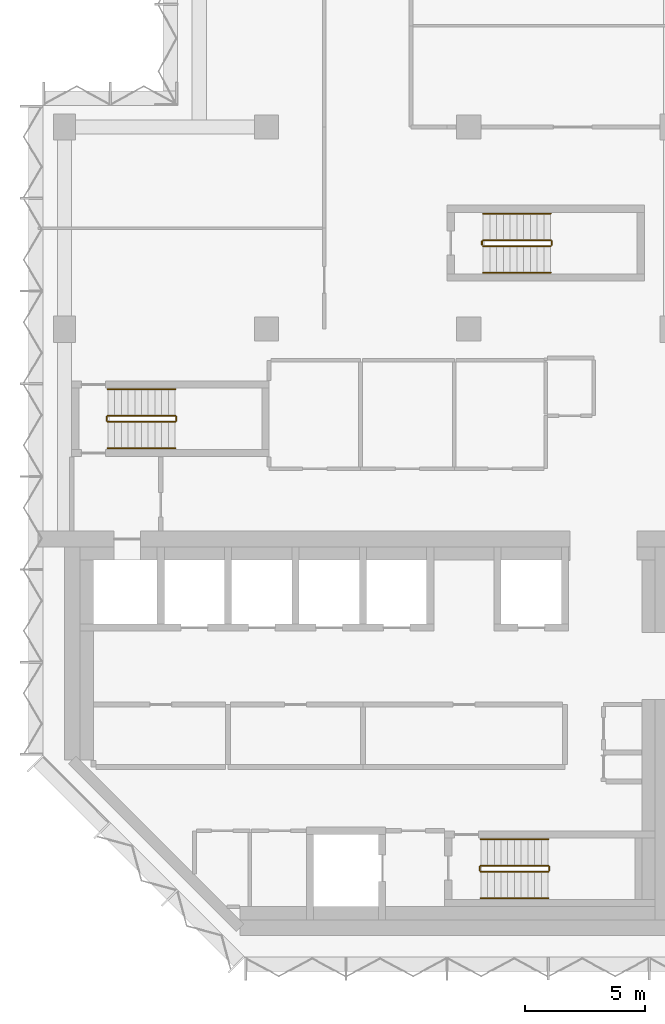
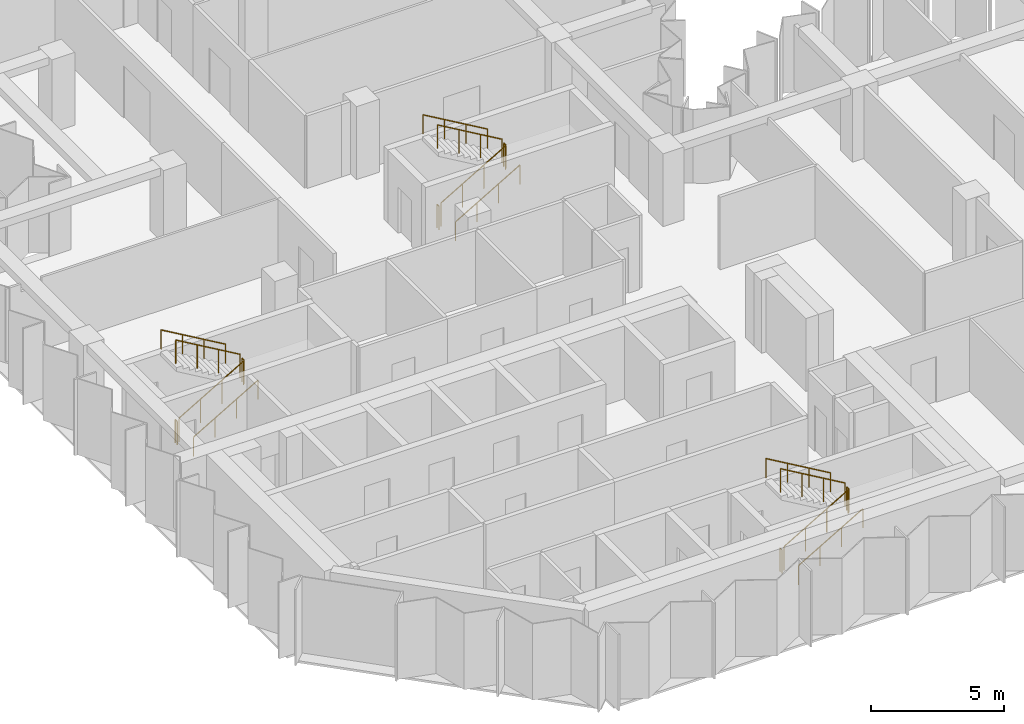
# One storey, part 9 of 10: 18 railings.
"""IFC4 building model written with IfcOpenShell, lengths in metres."""

import ifcopenshell
import ifcopenshell.guid

model = None  # the IFC model being written
_history = None  # IfcOwnerHistory: only IFC2X3 demands one
_inside = {}  # id of a spatial element -> (the spatial element, [elements in it])
_under = {}  # id of a project, library or spatial element -> (it, [spatial elements below it])
_declared = {}  # id of a project -> (the project, [libraries it declares])
_typed = {}  # id of a type object -> (the type object, [elements of that type])
_made_of = {}  # id of a material, layer set ... -> (it, [elements and type objects made of it])


def new_model(schema):
    """Start an empty IFC model of exactly this schema.

    Asked for "IFC4X3", IfcOpenShell would pick the latest addendum, in which some entities
    have other attributes; the version numbers below select the first issue.
    IFC2X3 requires an IfcOwnerHistory on every rooted entity: one is made here for all.
    """
    global model, _history
    if schema == "IFC4X3":
        model = ifcopenshell.file(schema_version=(4, 3, 0, 0))
    else:
        model = ifcopenshell.file(schema=schema)
    _inside.clear()
    _under.clear()
    _declared.clear()
    _typed.clear()
    _made_of.clear()
    _history = None
    if model.schema == "IFC2X3":
        org = make("IfcOrganization", Name="unknown")
        user = make(
            "IfcPersonAndOrganization",
            ThePerson=make("IfcPerson", FamilyName="unknown"),
            TheOrganization=org,
        )
        app = make(
            "IfcApplication",
            ApplicationDeveloper=org,
            Version="unknown",
            ApplicationFullName="unknown",
            ApplicationIdentifier="unknown",
        )
        _history = make(
            "IfcOwnerHistory",
            OwningUser=user,
            OwningApplication=app,
            ChangeAction="ADDED",
            CreationDate=0,
        )
    return model


def make(cls, **values):
    """One entity of the class cls with the attributes given. An attribute that is None is left unset."""
    return model.create_entity(
        cls, **{name: value for name, value in values.items() if value is not None}
    )


def rooted(cls, **values):
    """An entity with a GlobalId (a new one), such as an element, a storey or a relation."""
    return make(cls, GlobalId=ifcopenshell.guid.new(), OwnerHistory=_history, **values)


def si_unit(unit_type, name, prefix=None):
    """IfcSIUnit, for example si_unit("LENGTHUNIT", "METRE", prefix="MILLI")."""
    return make("IfcSIUnit", UnitType=unit_type, Prefix=prefix, Name=name)


def assignment(units):
    """IfcUnitAssignment: the units of a project."""
    return None if units is None else make("IfcUnitAssignment", Units=units)


def point(xyz):
    """IfcCartesianPoint."""
    return None if xyz is None else make("IfcCartesianPoint", Coordinates=xyz)


def direction(xyz):
    """IfcDirection."""
    return None if xyz is None else make("IfcDirection", DirectionRatios=xyz)


def frame(location, z_axis=None, x_axis=None):
    """IfcAxis2Placement3D, a coordinate frame: its origin and axes. An axis left out is left unset."""
    return make(
        "IfcAxis2Placement3D",
        Location=point(location),
        Axis=direction(z_axis),
        RefDirection=direction(x_axis),
    )


def frame_2d(location, x_axis=None):
    """IfcAxis2Placement2D, a coordinate frame in the plane: its origin and x axis."""
    return make(
        "IfcAxis2Placement2D", Location=point(location), RefDirection=direction(x_axis)
    )


def origin():
    """The frame at (0, 0, 0) with its axes left unset."""
    return frame((0.0, 0.0, 0.0))


def origin_2d():
    """The frame at (0, 0) in the plane with its x axis left unset."""
    return frame_2d((0.0, 0.0))


def place(relative_to, where):
    """IfcLocalPlacement: puts the frame where relative to a parent placement (None: the world)."""
    return make(
        "IfcLocalPlacement", PlacementRelTo=relative_to, RelativePlacement=where
    )


def context(
    kind, dimensions, precision=None, world=None, true_north=None, identifier=None
):
    """IfcGeometricRepresentationContext, for example the 3D "Model" context."""
    return make(
        "IfcGeometricRepresentationContext",
        ContextIdentifier=identifier,
        ContextType=kind,
        CoordinateSpaceDimension=dimensions,
        Precision=precision,
        WorldCoordinateSystem=world,
        TrueNorth=true_north,
    )


def subcontext(parent, identifier, kind, view, scale=None):
    """IfcGeometricRepresentationSubContext, for example "Body" below "Model"."""
    return make(
        "IfcGeometricRepresentationSubContext",
        ContextIdentifier=identifier,
        ContextType=kind,
        ParentContext=parent,
        TargetScale=scale,
        TargetView=view,
    )


def project(units=None, contexts=None):
    """IfcProject with its units and contexts."""
    return rooted(
        "IfcProject",
        Name="project",
        RepresentationContexts=contexts,
        UnitsInContext=assignment(units),
    )


def spatial(cls, under=None, at=None, **own):
    """A site, building, storey or space (cls), placed at a placement, below another one or the project."""
    s = rooted(cls, ObjectPlacement=at, **own)
    if under is not None:
        _under.setdefault(under.id(), (under, []))[1].append(s)
    return s


def profile(cls, at=None, kind="AREA", **sizes):
    """A parametric profile (cls). Its sizes go by their IFC names, for example OverallWidth=200.0."""
    return make(cls, ProfileType=kind, Position=at, **sizes)


def circle(**sizes):
    """IfcCircleProfileDef."""
    return profile("IfcCircleProfileDef", **sizes)


def extrude(swept, where, along, depth):
    """IfcExtrudedAreaSolid: the profile swept, set in the frame where, extruded along a direction by depth."""
    return make(
        "IfcExtrudedAreaSolid",
        SweptArea=swept,
        Position=where,
        ExtrudedDirection=direction(along),
        Depth=depth,
    )


def shape(context_of_items, identifier, shape_type, items):
    """IfcShapeRepresentation: the items that make up one representation, for example the "Body"."""
    return make(
        "IfcShapeRepresentation",
        ContextOfItems=context_of_items,
        RepresentationIdentifier=identifier,
        RepresentationType=shape_type,
        Items=items,
    )


def material(Name=None, Category=None):
    """IfcMaterial."""
    return make("IfcMaterial", Name=Name, Category=Category)


def made_of(thing, what):
    """Note that an element or type object is made of a material, layer set ...; save() writes the relation."""
    if what is not None:
        _made_of.setdefault(what.id(), (what, []))[1].append(thing)
    return thing


def type_object(cls, material=None, **own):
    """A type object (cls), such as IfcWallType, which elements share."""
    return made_of(rooted(cls, **own), material)


def element(
    cls,
    number,
    at=None,
    inside=None,
    cuts=None,
    type_object=None,
    material=None,
    context=None,
    identifier="Body",
    shape_type=None,
    held_by="IfcProductDefinitionShape",
    body=None,
    shapes=None,
    **own,
):
    """One element of the class cls, such as IfcWall. Its Tag is "e" and its number.

    at: its placement. inside: the storey or other place that contains it. cuts: it is an
    opening in that element (IfcRelVoidsElement). A single representation is given by context,
    identifier, shape_type and body (its items); several are given by shapes. held_by: the class
    of the entity that holds the representations. save() writes the other relations.
    """
    e = rooted(cls, Tag="e%d" % number, ObjectPlacement=at, **own)
    if body is not None:
        shapes = [shape(context, identifier, shape_type, body)]
    if shapes is not None:
        e.Representation = make(held_by, Representations=shapes)
    if inside is not None:
        _inside.setdefault(inside.id(), (inside, []))[1].append(e)
    if cuts is not None:
        rooted(
            "IfcRelVoidsElement", RelatingBuildingElement=cuts, RelatedOpeningElement=e
        )
    if type_object is not None:
        _typed.setdefault(type_object.id(), (type_object, []))[1].append(e)
    return made_of(e, material)


def aggregate(whole, parts):
    """IfcRelAggregates: a whole, such as a stair, and the parts it consists of."""
    return rooted("IfcRelAggregates", RelatingObject=whole, RelatedObjects=parts)


def save(model, path):
    """Write the relations noted so far, then the file.

    IfcRelAggregates (storeys below a building ...), IfcRelContainedInSpatialStructure (elements
    in a storey), IfcRelDefinesByType, IfcRelAssociatesMaterial and IfcRelDeclares: one each for
    every whole, place, type object, material and project.
    """
    for whole, parts in _under.values():
        aggregate(whole, parts)
    for where, things in _inside.values():
        rooted(
            "IfcRelContainedInSpatialStructure",
            RelatedElements=things,
            RelatingStructure=where,
        )
    for kind, things in _typed.values():
        rooted("IfcRelDefinesByType", RelatedObjects=things, RelatingType=kind)
    for what, things in _made_of.values():
        rooted("IfcRelAssociatesMaterial", RelatedObjects=things, RelatingMaterial=what)
    for by, libraries in _declared.values():
        rooted("IfcRelDeclares", RelatingContext=by, RelatedDefinitions=libraries)
    model.write(path)


model = new_model("IFC4")

# Units and contexts
model_context = context("Model", 3, precision=1e-05, world=origin(), true_north=direction((0.0, 1.0)))
body_context = subcontext(model_context, "Body", "Model", "MODEL_VIEW")
ifc_project = project(units=[si_unit("LENGTHUNIT", "METRE"), si_unit("AREAUNIT", "SQUARE_METRE"), si_unit("VOLUMEUNIT", "CUBIC_METRE"), si_unit("PLANEANGLEUNIT", "RADIAN"), si_unit("MASSUNIT", "GRAM", prefix="KILO")], contexts=[model_context])

# Site, building, storey
site_placement = place(None, origin())
site = spatial("IfcSite", under=ifc_project, at=site_placement, CompositionType="ELEMENT")
building_placement = place(site_placement, origin())
building = spatial("IfcBuilding", under=site, at=building_placement, Name="Brevane Broadcast Tower", CompositionType="ELEMENT")
storey_placement = place(building_placement, frame((0.0, 0.0, 195.60009765625)))
storey = spatial("IfcBuildingStorey", under=building, at=storey_placement, Name="L49", CompositionType="ELEMENT", Elevation=195.60009765625)

# Railings
ifc_material = material(Name="Steel S355", Category="steel")
railing_type_1 = type_object("IfcRailingType", Name="Exit stair guard", PredefinedType="GUARDRAIL", material=ifc_material)
railing_1_placement = place(storey_placement, frame((1.800048828125, 21.35009765625, 0.16357421875)))
element("IfcRailing", 1, at=railing_1_placement, inside=storey, type_object=railing_type_1, Name="L49 ST-1 stair guard 1", PredefinedType="GUARDRAIL", context=body_context, shape_type="SweptSolid", body=[
    extrude(circle(Radius=0.02392578125, at=origin_2d()), frame((0.0, 0.0, 1.076171875), z_axis=(0.863393664356, 0.0, 0.504530851732), x_axis=(0.0, 1.0, 0.0)), (0.0, 0.0, 1.0), 3.2431640625),
    extrude(circle(Radius=0.02099609375, at=origin_2d()), origin(), (0.0, 0.0, 1.0), 1.052001953125),
    extrude(circle(Radius=0.02099609375, at=origin_2d()), frame((0.933349609375, 0.0, 0.54541015625)), (0.0, 0.0, 1.0), 1.052001953125),
    extrude(circle(Radius=0.02099609375, at=origin_2d()), frame((1.86669921875, 0.0, 1.0908203125)), (0.0, 0.0, 1.0), 1.052001953125),
    extrude(circle(Radius=0.02099609375, at=origin_2d()), frame((2.800048828125, 0.0, 1.63623046875)), (0.0, 0.0, 1.0), 1.052001953125),
])
railing_2_placement = place(storey_placement, frame((4.64990234375, 21.39990234375, 1.7998046875)))
element("IfcRailing", 2, at=railing_2_placement, inside=storey, type_object=railing_type_1, Name="L49 ST-1 stair guard 2", PredefinedType="GUARDRAIL", context=body_context, shape_type="SweptSolid", body=[
    extrude(circle(Radius=0.02392578125, at=origin_2d()), frame((0.0, 0.0, 1.076171875), z_axis=(0.0, 1.0, 0.0), x_axis=(-1.0, 0.0, 0.0)), (0.0, 0.0, 1.0), 0.150146484375),
    extrude(circle(Radius=0.02099609375, at=origin_2d()), origin(), (0.0, 0.0, 1.0), 1.052001953125),
    extrude(circle(Radius=0.02099609375, at=origin_2d()), frame((0.0, 0.150146484375, 0.0)), (0.0, 0.0, 1.0), 1.052001953125),
])
railing_3_placement = place(storey_placement, frame((4.60009765625, 21.60009765625, 1.963623046875)))
element("IfcRailing", 3, at=railing_3_placement, inside=storey, type_object=railing_type_1, Name="L49 ST-1 stair guard 3", PredefinedType="GUARDRAIL", context=body_context, shape_type="SweptSolid", body=[
    extrude(circle(Radius=0.02392578125, at=origin_2d()), frame((0.0, 0.0, 1.076171875), z_axis=(-0.863393664356, 0.0, 0.504530851732), x_axis=(0.0, -1.0, 0.0)), (0.0, 0.0, 1.0), 3.2431640625),
    extrude(circle(Radius=0.02099609375, at=origin_2d()), origin(), (0.0, 0.0, 1.0), 1.052001953125),
    extrude(circle(Radius=0.02099609375, at=origin_2d()), frame((-0.933349609375, 0.0, 0.54541015625)), (0.0, 0.0, 1.0), 1.052001953125),
    extrude(circle(Radius=0.02099609375, at=origin_2d()), frame((-1.86669921875, 0.0, 1.0908203125)), (0.0, 0.0, 1.0), 1.052001953125),
    extrude(circle(Radius=0.02099609375, at=origin_2d()), frame((-2.800048828125, 0.0, 1.63623046875)), (0.0, 0.0, 1.0), 1.052001953125),
])
railing_4_placement = place(storey_placement, frame((1.75, 21.39990234375, 0.0)))
element("IfcRailing", 4, at=railing_4_placement, inside=storey, type_object=railing_type_1, Name="L49 ST-1 stair guard 4", PredefinedType="GUARDRAIL", context=body_context, shape_type="SweptSolid", body=[
    extrude(circle(Radius=0.02392578125, at=origin_2d()), frame((0.0, 0.0, 1.076171875), z_axis=(0.0, 1.0, 0.0), x_axis=(-1.0, 0.0, 0.0)), (0.0, 0.0, 1.0), 0.150146484375),
    extrude(circle(Radius=0.02099609375, at=origin_2d()), origin(), (0.0, 0.0, 1.0), 1.052001953125),
    extrude(circle(Radius=0.02099609375, at=origin_2d()), frame((0.0, 0.150146484375, 0.0)), (0.0, 0.0, 1.0), 1.052001953125),
])
railing_5_placement = place(storey_placement, frame((17.300048828125, 2.64990234375, 0.16357421875)))
element("IfcRailing", 5, at=railing_5_placement, inside=storey, type_object=railing_type_1, Name="L49 ST-2 stair guard 1", PredefinedType="GUARDRAIL", context=body_context, shape_type="SweptSolid", body=[
    extrude(circle(Radius=0.02392578125, at=origin_2d()), frame((0.0, 0.0, 1.076171875), z_axis=(0.863393664356, 0.0, 0.504530851732), x_axis=(0.0, 1.0, 0.0)), (0.0, 0.0, 1.0), 3.2431640625),
    extrude(circle(Radius=0.02099609375, at=origin_2d()), origin(), (0.0, 0.0, 1.0), 1.052001953125),
    extrude(circle(Radius=0.02099609375, at=origin_2d()), frame((0.933349609375, 0.0, 0.54541015625)), (0.0, 0.0, 1.0), 1.052001953125),
    extrude(circle(Radius=0.02099609375, at=origin_2d()), frame((1.86669921875, 0.0, 1.0908203125)), (0.0, 0.0, 1.0), 1.052001953125),
    extrude(circle(Radius=0.02099609375, at=origin_2d()), frame((2.800048828125, 0.0, 1.63623046875)), (0.0, 0.0, 1.0), 1.052001953125),
])
railing_6_placement = place(storey_placement, frame((20.14990234375, 2.699951171875, 1.7998046875)))
element("IfcRailing", 6, at=railing_6_placement, inside=storey, type_object=railing_type_1, Name="L49 ST-2 stair guard 2", PredefinedType="GUARDRAIL", context=body_context, shape_type="SweptSolid", body=[
    extrude(circle(Radius=0.02392578125, at=origin_2d()), frame((0.0, 0.0, 1.076171875), z_axis=(0.0, 1.0, 0.0), x_axis=(-1.0, 0.0, 0.0)), (0.0, 0.0, 1.0), 0.150146484375),
    extrude(circle(Radius=0.02099609375, at=origin_2d()), origin(), (0.0, 0.0, 1.0), 1.052001953125),
    extrude(circle(Radius=0.02099609375, at=origin_2d()), frame((0.0, 0.150146484375, 0.0)), (0.0, 0.0, 1.0), 1.052001953125),
])
railing_7_placement = place(storey_placement, frame((20.10009765625, 2.89990234375, 1.963623046875)))
element("IfcRailing", 7, at=railing_7_placement, inside=storey, type_object=railing_type_1, Name="L49 ST-2 stair guard 3", PredefinedType="GUARDRAIL", context=body_context, shape_type="SweptSolid", body=[
    extrude(circle(Radius=0.02392578125, at=origin_2d()), frame((0.0, 0.0, 1.076171875), z_axis=(-0.863393664356, 0.0, 0.504530851732), x_axis=(0.0, -1.0, 0.0)), (0.0, 0.0, 1.0), 3.2431640625),
    extrude(circle(Radius=0.02099609375, at=origin_2d()), origin(), (0.0, 0.0, 1.0), 1.052001953125),
    extrude(circle(Radius=0.02099609375, at=origin_2d()), frame((-0.933349609375, 0.0, 0.54541015625)), (0.0, 0.0, 1.0), 1.052001953125),
    extrude(circle(Radius=0.02099609375, at=origin_2d()), frame((-1.86669921875, 0.0, 1.0908203125)), (0.0, 0.0, 1.0), 1.052001953125),
    extrude(circle(Radius=0.02099609375, at=origin_2d()), frame((-2.800048828125, 0.0, 1.63623046875)), (0.0, 0.0, 1.0), 1.052001953125),
])
railing_8_placement = place(storey_placement, frame((17.25, 2.699951171875, 0.0)))
element("IfcRailing", 8, at=railing_8_placement, inside=storey, type_object=railing_type_1, Name="L49 ST-2 stair guard 4", PredefinedType="GUARDRAIL", context=body_context, shape_type="SweptSolid", body=[
    extrude(circle(Radius=0.02392578125, at=origin_2d()), frame((0.0, 0.0, 1.076171875), z_axis=(0.0, 1.0, 0.0), x_axis=(-1.0, 0.0, 0.0)), (0.0, 0.0, 1.0), 0.150146484375),
    extrude(circle(Radius=0.02099609375, at=origin_2d()), origin(), (0.0, 0.0, 1.0), 1.052001953125),
    extrude(circle(Radius=0.02099609375, at=origin_2d()), frame((0.0, 0.150146484375, 0.0)), (0.0, 0.0, 1.0), 1.052001953125),
])
railing_9_placement = place(storey_placement, frame((17.39990234375, 28.64990234375, 0.16357421875)))
element("IfcRailing", 9, at=railing_9_placement, inside=storey, type_object=railing_type_1, Name="L49 ST-3 stair guard 1", PredefinedType="GUARDRAIL", context=body_context, shape_type="SweptSolid", body=[
    extrude(circle(Radius=0.02392578125, at=origin_2d()), frame((0.0, 0.0, 1.076171875), z_axis=(0.863393664356, 0.0, 0.504530851732), x_axis=(0.0, 1.0, 0.0)), (0.0, 0.0, 1.0), 3.2431640625),
    extrude(circle(Radius=0.02099609375, at=origin_2d()), origin(), (0.0, 0.0, 1.0), 1.052001953125),
    extrude(circle(Radius=0.02099609375, at=origin_2d()), frame((0.933349609375, 0.0, 0.54541015625)), (0.0, 0.0, 1.0), 1.052001953125),
    extrude(circle(Radius=0.02099609375, at=origin_2d()), frame((1.86669921875, 0.0, 1.0908203125)), (0.0, 0.0, 1.0), 1.052001953125),
    extrude(circle(Radius=0.02099609375, at=origin_2d()), frame((2.800048828125, 0.0, 1.63623046875)), (0.0, 0.0, 1.0), 1.052001953125),
])
railing_10_placement = place(storey_placement, frame((20.25, 28.699951171875, 1.7998046875)))
element("IfcRailing", 10, at=railing_10_placement, inside=storey, type_object=railing_type_1, Name="L49 ST-3 stair guard 2", PredefinedType="GUARDRAIL", context=body_context, shape_type="SweptSolid", body=[
    extrude(circle(Radius=0.02392578125, at=origin_2d()), frame((0.0, 0.0, 1.076171875), z_axis=(0.0, 1.0, 0.0), x_axis=(-1.0, 0.0, 0.0)), (0.0, 0.0, 1.0), 0.150146484375),
    extrude(circle(Radius=0.02099609375, at=origin_2d()), origin(), (0.0, 0.0, 1.0), 1.052001953125),
    extrude(circle(Radius=0.02099609375, at=origin_2d()), frame((0.0, 0.150146484375, 0.0)), (0.0, 0.0, 1.0), 1.052001953125),
])
railing_11_placement = place(storey_placement, frame((20.199951171875, 28.89990234375, 1.963623046875)))
element("IfcRailing", 11, at=railing_11_placement, inside=storey, type_object=railing_type_1, Name="L49 ST-3 stair guard 3", PredefinedType="GUARDRAIL", context=body_context, shape_type="SweptSolid", body=[
    extrude(circle(Radius=0.02392578125, at=origin_2d()), frame((0.0, 0.0, 1.076171875), z_axis=(-0.863393664356, 0.0, 0.504530851732), x_axis=(0.0, -1.0, 0.0)), (0.0, 0.0, 1.0), 3.2431640625),
    extrude(circle(Radius=0.02099609375, at=origin_2d()), origin(), (0.0, 0.0, 1.0), 1.052001953125),
    extrude(circle(Radius=0.02099609375, at=origin_2d()), frame((-0.933349609375, 0.0, 0.54541015625)), (0.0, 0.0, 1.0), 1.052001953125),
    extrude(circle(Radius=0.02099609375, at=origin_2d()), frame((-1.86669921875, 0.0, 1.0908203125)), (0.0, 0.0, 1.0), 1.052001953125),
    extrude(circle(Radius=0.02099609375, at=origin_2d()), frame((-2.800048828125, 0.0, 1.63623046875)), (0.0, 0.0, 1.0), 1.052001953125),
])
railing_12_placement = place(storey_placement, frame((17.35009765625, 28.699951171875, 0.0)))
element("IfcRailing", 12, at=railing_12_placement, inside=storey, type_object=railing_type_1, Name="L49 ST-3 stair guard 4", PredefinedType="GUARDRAIL", context=body_context, shape_type="SweptSolid", body=[
    extrude(circle(Radius=0.02392578125, at=origin_2d()), frame((0.0, 0.0, 1.076171875), z_axis=(0.0, 1.0, 0.0), x_axis=(-1.0, 0.0, 0.0)), (0.0, 0.0, 1.0), 0.150146484375),
    extrude(circle(Radius=0.02099609375, at=origin_2d()), origin(), (0.0, 0.0, 1.0), 1.052001953125),
    extrude(circle(Radius=0.02099609375, at=origin_2d()), frame((0.0, 0.150146484375, 0.0)), (0.0, 0.0, 1.0), 1.052001953125),
])
railing_type_2 = type_object("IfcRailingType", Name="Exit stair handrail", PredefinedType="HANDRAIL", material=ifc_material)
railing_13_placement = place(storey_placement, frame((1.800048828125, 20.25, 0.16357421875)))
element("IfcRailing", 13, at=railing_13_placement, inside=storey, type_object=railing_type_2, Name="L49 ST-1 stair handrail 1", PredefinedType="HANDRAIL", context=body_context, shape_type="SweptSolid", body=[
    extrude(circle(Radius=0.02392578125, at=origin_2d()), frame((0.0, 0.0, 0.8759765625), z_axis=(0.863393664356, 0.0, 0.504530851732), x_axis=(0.0, 1.0, 0.0)), (0.0, 0.0, 1.0), 3.2431640625),
    extrude(circle(Radius=0.02099609375, at=origin_2d()), origin(), (0.0, 0.0, 1.0), 0.851806640625),
    extrude(circle(Radius=0.02099609375, at=origin_2d()), frame((0.933349609375, 0.0, 0.54541015625)), (0.0, 0.0, 1.0), 0.851806640625),
    extrude(circle(Radius=0.02099609375, at=origin_2d()), frame((1.86669921875, 0.0, 1.0908203125)), (0.0, 0.0, 1.0), 0.851806640625),
    extrude(circle(Radius=0.02099609375, at=origin_2d()), frame((2.800048828125, 0.0, 1.63623046875)), (0.0, 0.0, 1.0), 0.851806640625),
])
railing_14_placement = place(storey_placement, frame((4.60009765625, 22.699951171875, 1.963623046875)))
element("IfcRailing", 14, at=railing_14_placement, inside=storey, type_object=railing_type_2, Name="L49 ST-1 stair handrail 2", PredefinedType="HANDRAIL", context=body_context, shape_type="SweptSolid", body=[
    extrude(circle(Radius=0.02392578125, at=origin_2d()), frame((0.0, 0.0, 0.8759765625), z_axis=(-0.863393664356, 0.0, 0.504530851732), x_axis=(0.0, -1.0, 0.0)), (0.0, 0.0, 1.0), 3.2431640625),
    extrude(circle(Radius=0.02099609375, at=origin_2d()), origin(), (0.0, 0.0, 1.0), 0.851806640625),
    extrude(circle(Radius=0.02099609375, at=origin_2d()), frame((-0.933349609375, 0.0, 0.54541015625)), (0.0, 0.0, 1.0), 0.851806640625),
    extrude(circle(Radius=0.02099609375, at=origin_2d()), frame((-1.86669921875, 0.0, 1.0908203125)), (0.0, 0.0, 1.0), 0.851806640625),
    extrude(circle(Radius=0.02099609375, at=origin_2d()), frame((-2.800048828125, 0.0, 1.63623046875)), (0.0, 0.0, 1.0), 0.851806640625),
])
railing_15_placement = place(storey_placement, frame((17.300048828125, 1.550048828125, 0.16357421875)))
element("IfcRailing", 15, at=railing_15_placement, inside=storey, type_object=railing_type_2, Name="L49 ST-2 stair handrail 1", PredefinedType="HANDRAIL", context=body_context, shape_type="SweptSolid", body=[
    extrude(circle(Radius=0.02392578125, at=origin_2d()), frame((0.0, 0.0, 0.8759765625), z_axis=(0.863393664356, 0.0, 0.504530851732), x_axis=(0.0, 1.0, 0.0)), (0.0, 0.0, 1.0), 3.2431640625),
    extrude(circle(Radius=0.02099609375, at=origin_2d()), origin(), (0.0, 0.0, 1.0), 0.851806640625),
    extrude(circle(Radius=0.02099609375, at=origin_2d()), frame((0.933349609375, 0.0, 0.54541015625)), (0.0, 0.0, 1.0), 0.851806640625),
    extrude(circle(Radius=0.02099609375, at=origin_2d()), frame((1.86669921875, 0.0, 1.0908203125)), (0.0, 0.0, 1.0), 0.851806640625),
    extrude(circle(Radius=0.02099609375, at=origin_2d()), frame((2.800048828125, 0.0, 1.63623046875)), (0.0, 0.0, 1.0), 0.851806640625),
])
railing_16_placement = place(storey_placement, frame((20.10009765625, 4.0, 1.963623046875)))
element("IfcRailing", 16, at=railing_16_placement, inside=storey, type_object=railing_type_2, Name="L49 ST-2 stair handrail 2", PredefinedType="HANDRAIL", context=body_context, shape_type="SweptSolid", body=[
    extrude(circle(Radius=0.02392578125, at=origin_2d()), frame((0.0, 0.0, 0.8759765625), z_axis=(-0.863393664356, 0.0, 0.504530851732), x_axis=(0.0, -1.0, 0.0)), (0.0, 0.0, 1.0), 3.2431640625),
    extrude(circle(Radius=0.02099609375, at=origin_2d()), origin(), (0.0, 0.0, 1.0), 0.851806640625),
    extrude(circle(Radius=0.02099609375, at=origin_2d()), frame((-0.933349609375, 0.0, 0.54541015625)), (0.0, 0.0, 1.0), 0.851806640625),
    extrude(circle(Radius=0.02099609375, at=origin_2d()), frame((-1.86669921875, 0.0, 1.0908203125)), (0.0, 0.0, 1.0), 0.851806640625),
    extrude(circle(Radius=0.02099609375, at=origin_2d()), frame((-2.800048828125, 0.0, 1.63623046875)), (0.0, 0.0, 1.0), 0.851806640625),
])
railing_17_placement = place(storey_placement, frame((17.39990234375, 27.550048828125, 0.16357421875)))
element("IfcRailing", 17, at=railing_17_placement, inside=storey, type_object=railing_type_2, Name="L49 ST-3 stair handrail 1", PredefinedType="HANDRAIL", context=body_context, shape_type="SweptSolid", body=[
    extrude(circle(Radius=0.02392578125, at=origin_2d()), frame((0.0, 0.0, 0.8759765625), z_axis=(0.863393664356, 0.0, 0.504530851732), x_axis=(0.0, 1.0, 0.0)), (0.0, 0.0, 1.0), 3.2431640625),
    extrude(circle(Radius=0.02099609375, at=origin_2d()), origin(), (0.0, 0.0, 1.0), 0.851806640625),
    extrude(circle(Radius=0.02099609375, at=origin_2d()), frame((0.933349609375, 0.0, 0.54541015625)), (0.0, 0.0, 1.0), 0.851806640625),
    extrude(circle(Radius=0.02099609375, at=origin_2d()), frame((1.86669921875, 0.0, 1.0908203125)), (0.0, 0.0, 1.0), 0.851806640625),
    extrude(circle(Radius=0.02099609375, at=origin_2d()), frame((2.800048828125, 0.0, 1.63623046875)), (0.0, 0.0, 1.0), 0.851806640625),
])
railing_18_placement = place(storey_placement, frame((20.199951171875, 30.0, 1.963623046875)))
element("IfcRailing", 18, at=railing_18_placement, inside=storey, type_object=railing_type_2, Name="L49 ST-3 stair handrail 2", PredefinedType="HANDRAIL", context=body_context, shape_type="SweptSolid", body=[
    extrude(circle(Radius=0.02392578125, at=origin_2d()), frame((0.0, 0.0, 0.8759765625), z_axis=(-0.863393664356, 0.0, 0.504530851732), x_axis=(0.0, -1.0, 0.0)), (0.0, 0.0, 1.0), 3.2431640625),
    extrude(circle(Radius=0.02099609375, at=origin_2d()), origin(), (0.0, 0.0, 1.0), 0.851806640625),
    extrude(circle(Radius=0.02099609375, at=origin_2d()), frame((-0.933349609375, 0.0, 0.54541015625)), (0.0, 0.0, 1.0), 0.851806640625),
    extrude(circle(Radius=0.02099609375, at=origin_2d()), frame((-1.86669921875, 0.0, 1.0908203125)), (0.0, 0.0, 1.0), 0.851806640625),
    extrude(circle(Radius=0.02099609375, at=origin_2d()), frame((-2.800048828125, 0.0, 1.63623046875)), (0.0, 0.0, 1.0), 0.851806640625),
])

save(model, "model.ifc")
